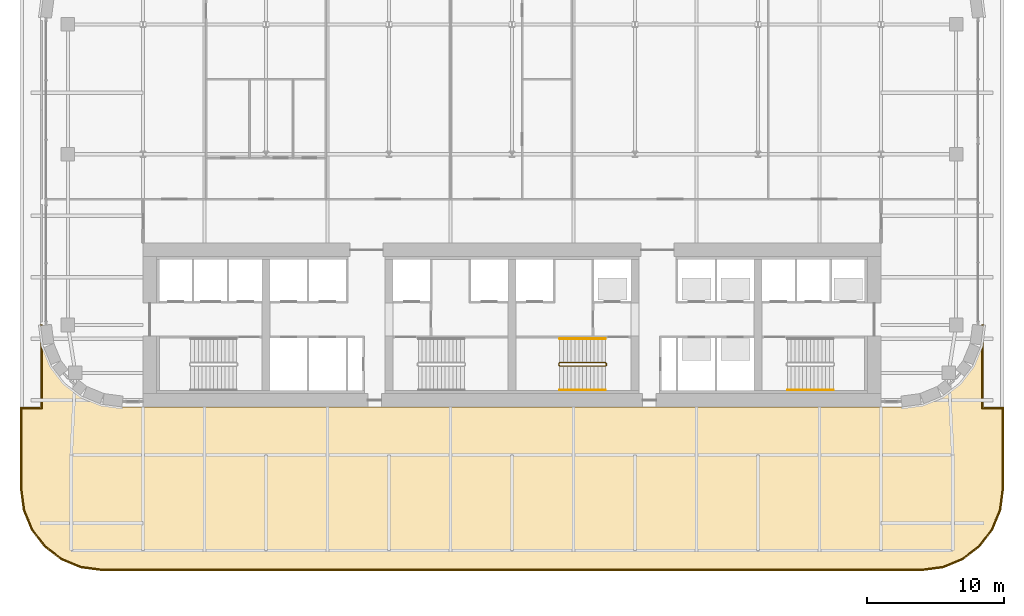
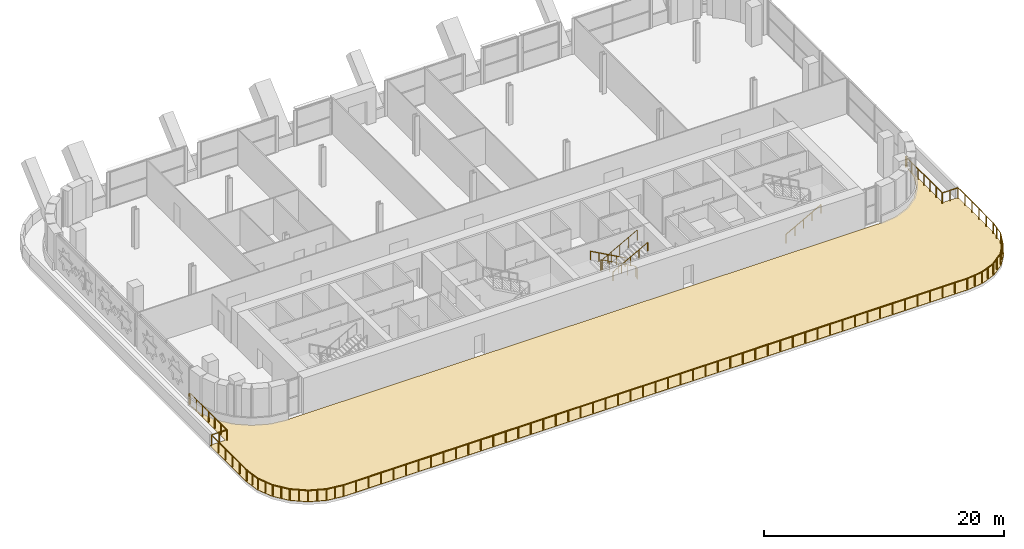
# One storey, part 20 of 26: 5 railings, 1 covering.
"""IFC4 building model written with IfcOpenShell, lengths in metres."""

from ifc_helpers import new_model, si_unit, direction, frame, origin, origin_2d, place, context, subcontext, project, spatial, polyline, circle, outline, extrude, material, layer, layer_set, type_object, element, save


model = new_model("IFC4")

# Units and contexts
model_context = context("Model", 3, precision=1e-05, world=origin(), true_north=direction((0.0, 1.0)))
body_context = subcontext(model_context, "Body", "Model", "MODEL_VIEW")
ifc_project = project(units=[si_unit("LENGTHUNIT", "METRE"), si_unit("AREAUNIT", "SQUARE_METRE"), si_unit("VOLUMEUNIT", "CUBIC_METRE"), si_unit("PLANEANGLEUNIT", "RADIAN"), si_unit("MASSUNIT", "GRAM", prefix="KILO")], contexts=[model_context])

# Site, building, storey
site_placement = place(None, origin())
site = spatial("IfcSite", under=ifc_project, at=site_placement, CompositionType="ELEMENT")
building_placement = place(site_placement, origin())
building = spatial("IfcBuilding", under=site, at=building_placement, Name="Zellij Exchange Tower", CompositionType="ELEMENT")
storey_placement = place(building_placement, frame((0.0, 0.0, 156.5)))
storey = spatial("IfcBuildingStorey", under=building, at=storey_placement, Name="L35", CompositionType="ELEMENT", Elevation=156.5)

# Railings
ifc_material_1 = material(Name="Stainless steel", Category="steel")
railing_type_1 = type_object("IfcRailingType", Name="CORE-RG stair guard", PredefinedType="GUARDRAIL", material=ifc_material_1)
railing_1_placement = place(storey_placement, frame((6.89990234375, -10.800048828125, 0.0)))
element("IfcRailing", 1, at=railing_1_placement, inside=storey, type_object=railing_type_1, Name="ST3 stair guard L35", PredefinedType="GUARDRAIL", context=body_context, shape_type="SweptSolid", body=[
    extrude(circle(Radius=0.02392578125, at=origin_2d()), frame((0.0, 0.0, 1.076171875), z_axis=(0.0, -1.0, 0.0), x_axis=(1.0, 0.0, 0.0)), (0.0, 0.0, 1.0), 0.14990234375),
    extrude(circle(Radius=0.02392578125, at=origin_2d()), frame((0.0, -0.14990234375, 1.076171875), z_axis=(-0.193691321961, 0.777613689637, 0.598164376644), x_axis=(-0.970351222016, -0.241699205484, 0.0)), (0.0, 0.0, 1.0), 0.257080078125),
    extrude(circle(Radius=0.02392578125, at=origin_2d()), frame((-0.0498046875, 0.050048828125, 1.22998046875), z_axis=(-0.876421534553, 0.0, 0.481544695509), x_axis=(0.0, -1.0, 0.0)), (0.0, 0.0, 1.0), 3.833984375),
    extrude(circle(Radius=0.02392578125, at=origin_2d()), frame((-3.409912109375, 0.050048828125, 3.076171875), z_axis=(-0.707106781187, -0.707106781187, 0.0), x_axis=(0.707106781187, -0.707106781187, 0.0)), (0.0, 0.0, 1.0), 0.07080078125),
    extrude(circle(Radius=0.02392578125, at=origin_2d()), frame((-3.4599609375, 0.0, 3.076171875), z_axis=(0.0, -1.0, 0.0), x_axis=(1.0, 0.0, 0.0)), (0.0, 0.0, 1.0), 0.14990234375),
    extrude(circle(Radius=0.02392578125, at=origin_2d()), frame((-3.4599609375, -0.14990234375, 3.076171875), z_axis=(0.295599637079, -0.295599637079, 0.908428152975), x_axis=(0.707106781187, 0.707106781187, 0.0)), (0.0, 0.0, 1.0), 0.16943359375),
    extrude(circle(Radius=0.02392578125, at=origin_2d()), frame((-3.409912109375, -0.199951171875, 3.22998046875), z_axis=(0.876421534553, 0.0, 0.481544695509), x_axis=(0.0, 1.0, 0.0)), (0.0, 0.0, 1.0), 3.833984375),
    extrude(circle(Radius=0.02099609375, at=origin_2d()), origin(), (0.0, 0.0, 1.0), 1.052001953125),
    extrude(circle(Radius=0.02099609375, at=origin_2d()), frame((0.0, -0.14990234375, 0.0)), (0.0, 0.0, 1.0), 1.052001953125),
    extrude(circle(Radius=0.02099609375, at=origin_2d()), frame((-0.0498046875, 0.050048828125, 0.15380859375)), (0.0, 0.0, 1.0), 1.052001953125),
    extrude(circle(Radius=0.02099609375, at=origin_2d()), frame((-0.889892578125, 0.050048828125, 0.615234375)), (0.0, 0.0, 1.0), 1.052001953125),
    extrude(circle(Radius=0.02099609375, at=origin_2d()), frame((-1.72998046875, 0.050048828125, 1.076904296875)), (0.0, 0.0, 1.0), 1.052001953125),
    extrude(circle(Radius=0.02099609375, at=origin_2d()), frame((-2.56982421875, 0.050048828125, 1.53857421875)), (0.0, 0.0, 1.0), 1.052001953125),
    extrude(circle(Radius=0.02099609375, at=origin_2d()), frame((-3.409912109375, 0.050048828125, 2.0)), (0.0, 0.0, 1.0), 1.052001953125),
    extrude(circle(Radius=0.02099609375, at=origin_2d()), frame((-3.4599609375, 0.0, 2.0)), (0.0, 0.0, 1.0), 1.052001953125),
    extrude(circle(Radius=0.02099609375, at=origin_2d()), frame((-3.4599609375, -0.14990234375, 2.0)), (0.0, 0.0, 1.0), 1.052001953125),
    extrude(circle(Radius=0.02099609375, at=origin_2d()), frame((-3.409912109375, -0.199951171875, 2.15380859375)), (0.0, 0.0, 1.0), 1.052001953125),
    extrude(circle(Radius=0.02099609375, at=origin_2d()), frame((-2.56982421875, -0.199951171875, 2.615234375)), (0.0, 0.0, 1.0), 1.052001953125),
    extrude(circle(Radius=0.02099609375, at=origin_2d()), frame((-1.72998046875, -0.199951171875, 3.076904296875)), (0.0, 0.0, 1.0), 1.052001953125),
    extrude(circle(Radius=0.02099609375, at=origin_2d()), frame((-0.889892578125, -0.199951171875, 3.53857421875)), (0.0, 0.0, 1.0), 1.052001953125),
    extrude(circle(Radius=0.02099609375, at=origin_2d()), frame((-0.0498046875, -0.199951171875, 4.0)), (0.0, 0.0, 1.0), 1.052001953125),
])
railing_type_2 = type_object("IfcRailingType", Name="CORE-RH stair handrail", PredefinedType="HANDRAIL", material=ifc_material_1)
railing_2_placement = place(storey_placement, frame((6.85009765625, -9.0, 0.15380859375)))
element("IfcRailing", 2, at=railing_2_placement, inside=storey, type_object=railing_type_2, Name="ST3 stair handrail L35", PredefinedType="HANDRAIL", context=body_context, shape_type="SweptSolid", body=[
    extrude(circle(Radius=0.02392578125, at=origin_2d()), frame((0.0, 0.0, 0.8759765625), z_axis=(-0.876421534553, 0.0, 0.481544695509), x_axis=(0.0, -1.0, 0.0)), (0.0, 0.0, 1.0), 3.833984375),
    extrude(circle(Radius=0.02099609375, at=origin_2d()), origin(), (0.0, 0.0, 1.0), 0.851806640625),
    extrude(circle(Radius=0.02099609375, at=origin_2d()), frame((-0.840087890625, 0.0, 0.46142578125)), (0.0, 0.0, 1.0), 0.851806640625),
    extrude(circle(Radius=0.02099609375, at=origin_2d()), frame((-1.68017578125, 0.0, 0.923095703125)), (0.0, 0.0, 1.0), 0.851806640625),
    extrude(circle(Radius=0.02099609375, at=origin_2d()), frame((-2.52001953125, 0.0, 1.384765625)), (0.0, 0.0, 1.0), 0.851806640625),
    extrude(circle(Radius=0.02099609375, at=origin_2d()), frame((-3.360107421875, 0.0, 1.84619140625)), (0.0, 0.0, 1.0), 0.851806640625),
])
for number, where, name in (
    (3, (3.489990234375, -12.75, 2.15380859375), "ST3 stair handrail L35"),
    (4, (20.14990234375, -12.75, 0.15380859375), "ST4 stair handrail L35"),
):
    element("IfcRailing", number, at=place(storey_placement, frame(where)), inside=storey, type_object=railing_type_2, Name=name, PredefinedType="HANDRAIL", context=body_context, shape_type="SweptSolid", body=[
        extrude(circle(Radius=0.02392578125, at=origin_2d()), frame((0.0, 0.0, 0.8759765625), z_axis=(0.876421534553, 0.0, 0.481544695509), x_axis=(0.0, 1.0, 0.0)), (0.0, 0.0, 1.0), 3.833984375),
        extrude(circle(Radius=0.02099609375, at=origin_2d()), origin(), (0.0, 0.0, 1.0), 0.851806640625),
        extrude(circle(Radius=0.02099609375, at=origin_2d()), frame((0.840087890625, 0.0, 0.46142578125)), (0.0, 0.0, 1.0), 0.851806640625),
        extrude(circle(Radius=0.02099609375, at=origin_2d()), frame((1.68017578125, 0.0, 0.923095703125)), (0.0, 0.0, 1.0), 0.851806640625),
        extrude(circle(Radius=0.02099609375, at=origin_2d()), frame((2.52001953125, 0.0, 1.384765625)), (0.0, 0.0, 1.0), 0.851806640625),
        extrude(circle(Radius=0.02099609375, at=origin_2d()), frame((3.360107421875, 0.0, 1.84619140625)), (0.0, 0.0, 1.0), 0.851806640625),
    ])
ifc_material_2 = material(Name="Bronze-finished aluminium", Category="aluminium")
railing_type_3 = type_object("IfcRailingType", Name="ENV-GR1 Terrace guard", PredefinedType="GUARDRAIL", material=ifc_material_2)
railing_3_placement = place(storey_placement, frame((-34.5, -8.000732421875, 0.0)))
element("IfcRailing", 5, at=railing_3_placement, inside=storey, type_object=railing_type_3, Name="Terrace guard", PredefinedType="GUARDRAIL", context=body_context, shape_type="SweptSolid", body=[
    extrude(circle(Radius=0.02490234375, at=origin_2d()), frame((0.0, 0.0, 1.0751953125), z_axis=(1.0, 0.0, 0.0), x_axis=(0.0, 1.0, 0.0)), (0.0, 0.0, 1.0), 0.10009765625),
    extrude(circle(Radius=0.02490234375, at=origin_2d()), frame((0.10009765625, 0.0, 1.0751953125), z_axis=(0.0, -1.0, 0.0), x_axis=(1.0, 0.0, 0.0)), (0.0, 0.0, 1.0), 6.099365234375),
    extrude(circle(Radius=0.02490234375, at=origin_2d()), frame((0.10009765625, -6.099365234375, 1.0751953125), z_axis=(-1.0, 0.0, 0.0), x_axis=(0.0, -1.0, 0.0)), (0.0, 0.0, 1.0), 1.5),
    extrude(circle(Radius=0.02490234375, at=origin_2d()), frame((-1.39990234375, -6.099365234375, 1.0751953125), z_axis=(0.0, -1.0, 0.0), x_axis=(1.0, 0.0, 0.0)), (0.0, 0.0, 1.0), 5.893310546875),
    extrude(circle(Radius=0.02490234375, at=origin_2d()), frame((-1.39990234375, -11.99267578125, 1.0751953125), z_axis=(0.130385096405, -0.991463426777, 0.0), x_axis=(0.991463426777, 0.130385096405, 0.0)), (0.0, 0.0, 1.0), 1.546630859375),
    extrude(circle(Radius=0.02490234375, at=origin_2d()), frame((-1.1982421875, -13.526123046875, 1.0751953125), z_axis=(0.382678474425, -0.923881586142, 0.0), x_axis=(0.923881586142, 0.382678474425, 0.0)), (0.0, 0.0, 1.0), 1.5400390625),
    extrude(circle(Radius=0.02490234375, at=origin_2d()), frame((-0.60888671875, -14.948974609375, 1.0751953125), z_axis=(0.608790940556, -0.793330694412, 0.0), x_axis=(0.793330694412, 0.608790940556, 0.0)), (0.0, 0.0, 1.0), 1.5400390625),
    extrude(circle(Radius=0.02490234375, at=origin_2d()), frame((0.32861328125, -16.170654296875, 1.0751953125), z_axis=(0.793330694412, -0.608790940556, 0.0), x_axis=(0.608790940556, 0.793330694412, 0.0)), (0.0, 0.0, 1.0), 1.5400390625),
    extrude(circle(Radius=0.02490234375, at=origin_2d()), frame((1.55029296875, -17.108154296875, 1.0751953125), z_axis=(0.923881586142, -0.382678474425, 0.0), x_axis=(0.382678474425, 0.923881586142, 0.0)), (0.0, 0.0, 1.0), 1.5400390625),
    extrude(circle(Radius=0.02490234375, at=origin_2d()), frame((2.97314453125, -17.697509765625, 1.0751953125), z_axis=(0.991463426777, -0.130385096405, 0.0), x_axis=(0.130385096405, 0.991463426777, 0.0)), (0.0, 0.0, 1.0), 1.546630859375),
    extrude(circle(Radius=0.02490234375, at=origin_2d()), frame((4.506591796875, -17.899169921875, 1.0751953125), z_axis=(1.0, 0.0, 0.0), x_axis=(0.0, 1.0, 0.0)), (0.0, 0.0, 1.0), 59.98681640625),
    extrude(circle(Radius=0.02490234375, at=origin_2d()), frame((64.493408203125, -17.899169921875, 1.0751953125), z_axis=(0.991463426777, 0.130385096405, 0.0), x_axis=(-0.130385096405, 0.991463426777, 0.0)), (0.0, 0.0, 1.0), 1.546630859375),
    extrude(circle(Radius=0.02490234375, at=origin_2d()), frame((66.02685546875, -17.697509765625, 1.0751953125), z_axis=(0.923881586142, 0.382678474425, 0.0), x_axis=(-0.382678474425, 0.923881586142, 0.0)), (0.0, 0.0, 1.0), 1.5400390625),
    extrude(circle(Radius=0.02490234375, at=origin_2d()), frame((67.44970703125, -17.108154296875, 1.0751953125), z_axis=(0.793330694412, 0.608790940556, 0.0), x_axis=(-0.608790940556, 0.793330694412, 0.0)), (0.0, 0.0, 1.0), 1.5400390625),
    extrude(circle(Radius=0.02490234375, at=origin_2d()), frame((68.67138671875, -16.170654296875, 1.0751953125), z_axis=(0.608790940556, 0.793330694412, 0.0), x_axis=(-0.793330694412, 0.608790940556, 0.0)), (0.0, 0.0, 1.0), 1.5400390625),
    extrude(circle(Radius=0.02490234375, at=origin_2d()), frame((69.60888671875, -14.948974609375, 1.0751953125), z_axis=(0.382678474425, 0.923881586142, 0.0), x_axis=(-0.923881586142, 0.382678474425, 0.0)), (0.0, 0.0, 1.0), 1.5400390625),
    extrude(circle(Radius=0.02490234375, at=origin_2d()), frame((70.1982421875, -13.526123046875, 1.0751953125), z_axis=(0.130385096405, 0.991463426777, 0.0), x_axis=(-0.991463426777, 0.130385096405, 0.0)), (0.0, 0.0, 1.0), 1.546630859375),
    extrude(circle(Radius=0.02490234375, at=origin_2d()), frame((70.39990234375, -11.99267578125, 1.0751953125), z_axis=(0.0, 1.0, 0.0), x_axis=(-1.0, 0.0, 0.0)), (0.0, 0.0, 1.0), 5.893310546875),
    extrude(circle(Radius=0.02490234375, at=origin_2d()), frame((70.39990234375, -6.099365234375, 1.0751953125), z_axis=(-1.0, 0.0, 0.0), x_axis=(0.0, -1.0, 0.0)), (0.0, 0.0, 1.0), 1.5),
    extrude(circle(Radius=0.02490234375, at=origin_2d()), frame((68.89990234375, -6.099365234375, 1.0751953125), z_axis=(0.0, 1.0, 0.0), x_axis=(-1.0, 0.0, 0.0)), (0.0, 0.0, 1.0), 6.099365234375),
    extrude(circle(Radius=0.02490234375, at=origin_2d()), frame((68.89990234375, 0.0, 1.0751953125), z_axis=(1.0, 0.0, 0.0), x_axis=(0.0, 1.0, 0.0)), (0.0, 0.0, 1.0), 0.10009765625),
    extrude(circle(Radius=0.030029296875, at=origin_2d()), origin(), (0.0, 0.0, 1.0), 1.050048828125),
    extrude(circle(Radius=0.030029296875, at=origin_2d()), frame((0.10009765625, 0.0, 0.0)), (0.0, 0.0, 1.0), 1.050048828125),
    extrude(circle(Radius=0.030029296875, at=origin_2d()), frame((0.10009765625, -1.0166015625, 0.0)), (0.0, 0.0, 1.0), 1.050048828125),
    extrude(circle(Radius=0.030029296875, at=origin_2d()), frame((0.10009765625, -2.033203125, 0.0)), (0.0, 0.0, 1.0), 1.050048828125),
    extrude(circle(Radius=0.030029296875, at=origin_2d()), frame((0.10009765625, -3.0498046875, 0.0)), (0.0, 0.0, 1.0), 1.050048828125),
    extrude(circle(Radius=0.030029296875, at=origin_2d()), frame((0.10009765625, -4.066162109375, 0.0)), (0.0, 0.0, 1.0), 1.050048828125),
    extrude(circle(Radius=0.030029296875, at=origin_2d()), frame((0.10009765625, -5.082763671875, 0.0)), (0.0, 0.0, 1.0), 1.050048828125),
    extrude(circle(Radius=0.030029296875, at=origin_2d()), frame((0.10009765625, -6.099365234375, 0.0)), (0.0, 0.0, 1.0), 1.050048828125),
    extrude(circle(Radius=0.030029296875, at=origin_2d()), frame((-0.64990234375, -6.099365234375, 0.0)), (0.0, 0.0, 1.0), 1.050048828125),
    extrude(circle(Radius=0.030029296875, at=origin_2d()), frame((-1.39990234375, -6.099365234375, 0.0)), (0.0, 0.0, 1.0), 1.050048828125),
    extrude(circle(Radius=0.030029296875, at=origin_2d()), frame((-1.39990234375, -7.278076171875, 0.0)), (0.0, 0.0, 1.0), 1.050048828125),
    extrude(circle(Radius=0.030029296875, at=origin_2d()), frame((-1.39990234375, -8.456787109375, 0.0)), (0.0, 0.0, 1.0), 1.050048828125),
    extrude(circle(Radius=0.030029296875, at=origin_2d()), frame((-1.39990234375, -9.63525390625, 0.0)), (0.0, 0.0, 1.0), 1.050048828125),
    extrude(circle(Radius=0.030029296875, at=origin_2d()), frame((-1.39990234375, -10.81396484375, 0.0)), (0.0, 0.0, 1.0), 1.050048828125),
    extrude(circle(Radius=0.030029296875, at=origin_2d()), frame((-1.39990234375, -11.99267578125, 0.0)), (0.0, 0.0, 1.0), 1.050048828125),
    extrude(circle(Radius=0.030029296875, at=origin_2d()), frame((-1.299072265625, -12.75927734375, 0.0)), (0.0, 0.0, 1.0), 1.050048828125),
    extrude(circle(Radius=0.030029296875, at=origin_2d()), frame((-1.1982421875, -13.526123046875, 0.0)), (0.0, 0.0, 1.0), 1.050048828125),
    extrude(circle(Radius=0.030029296875, at=origin_2d()), frame((-0.903564453125, -14.237548828125, 0.0)), (0.0, 0.0, 1.0), 1.050048828125),
    extrude(circle(Radius=0.030029296875, at=origin_2d()), frame((-0.60888671875, -14.948974609375, 0.0)), (0.0, 0.0, 1.0), 1.050048828125),
    extrude(circle(Radius=0.030029296875, at=origin_2d()), frame((-0.14013671875, -15.559814453125, 0.0)), (0.0, 0.0, 1.0), 1.050048828125),
    extrude(circle(Radius=0.030029296875, at=origin_2d()), frame((0.32861328125, -16.170654296875, 0.0)), (0.0, 0.0, 1.0), 1.050048828125),
    extrude(circle(Radius=0.030029296875, at=origin_2d()), frame((0.939453125, -16.639404296875, 0.0)), (0.0, 0.0, 1.0), 1.050048828125),
    extrude(circle(Radius=0.030029296875, at=origin_2d()), frame((1.55029296875, -17.108154296875, 0.0)), (0.0, 0.0, 1.0), 1.050048828125),
    extrude(circle(Radius=0.030029296875, at=origin_2d()), frame((2.26171875, -17.40283203125, 0.0)), (0.0, 0.0, 1.0), 1.050048828125),
    extrude(circle(Radius=0.030029296875, at=origin_2d()), frame((2.97314453125, -17.697509765625, 0.0)), (0.0, 0.0, 1.0), 1.050048828125),
    extrude(circle(Radius=0.030029296875, at=origin_2d()), frame((3.73974609375, -17.79833984375, 0.0)), (0.0, 0.0, 1.0), 1.050048828125),
    extrude(circle(Radius=0.030029296875, at=origin_2d()), frame((4.506591796875, -17.899169921875, 0.0)), (0.0, 0.0, 1.0), 1.050048828125),
    extrude(circle(Radius=0.030029296875, at=origin_2d()), frame((5.706298828125, -17.899169921875, 0.0)), (0.0, 0.0, 1.0), 1.050048828125),
    extrude(circle(Radius=0.030029296875, at=origin_2d()), frame((6.906005859375, -17.899169921875, 0.0)), (0.0, 0.0, 1.0), 1.050048828125),
    extrude(circle(Radius=0.030029296875, at=origin_2d()), frame((8.105712890625, -17.899169921875, 0.0)), (0.0, 0.0, 1.0), 1.050048828125),
    extrude(circle(Radius=0.030029296875, at=origin_2d()), frame((9.305419921875, -17.899169921875, 0.0)), (0.0, 0.0, 1.0), 1.050048828125),
    extrude(circle(Radius=0.030029296875, at=origin_2d()), frame((10.50537109375, -17.899169921875, 0.0)), (0.0, 0.0, 1.0), 1.050048828125),
    extrude(circle(Radius=0.030029296875, at=origin_2d()), frame((11.705078125, -17.899169921875, 0.0)), (0.0, 0.0, 1.0), 1.050048828125),
    extrude(circle(Radius=0.030029296875, at=origin_2d()), frame((12.90478515625, -17.899169921875, 0.0)), (0.0, 0.0, 1.0), 1.050048828125),
    extrude(circle(Radius=0.030029296875, at=origin_2d()), frame((14.1044921875, -17.899169921875, 0.0)), (0.0, 0.0, 1.0), 1.050048828125),
    extrude(circle(Radius=0.030029296875, at=origin_2d()), frame((15.30419921875, -17.899169921875, 0.0)), (0.0, 0.0, 1.0), 1.050048828125),
    extrude(circle(Radius=0.030029296875, at=origin_2d()), frame((16.50390625, -17.899169921875, 0.0)), (0.0, 0.0, 1.0), 1.050048828125),
    extrude(circle(Radius=0.030029296875, at=origin_2d()), frame((17.70361328125, -17.899169921875, 0.0)), (0.0, 0.0, 1.0), 1.050048828125),
    extrude(circle(Radius=0.030029296875, at=origin_2d()), frame((18.9033203125, -17.899169921875, 0.0)), (0.0, 0.0, 1.0), 1.050048828125),
    extrude(circle(Radius=0.030029296875, at=origin_2d()), frame((20.103271484375, -17.899169921875, 0.0)), (0.0, 0.0, 1.0), 1.050048828125),
    extrude(circle(Radius=0.030029296875, at=origin_2d()), frame((21.302978515625, -17.899169921875, 0.0)), (0.0, 0.0, 1.0), 1.050048828125),
    extrude(circle(Radius=0.030029296875, at=origin_2d()), frame((22.502685546875, -17.899169921875, 0.0)), (0.0, 0.0, 1.0), 1.050048828125),
    extrude(circle(Radius=0.030029296875, at=origin_2d()), frame((23.702392578125, -17.899169921875, 0.0)), (0.0, 0.0, 1.0), 1.050048828125),
    extrude(circle(Radius=0.030029296875, at=origin_2d()), frame((24.902099609375, -17.899169921875, 0.0)), (0.0, 0.0, 1.0), 1.050048828125),
    extrude(circle(Radius=0.030029296875, at=origin_2d()), frame((26.101806640625, -17.899169921875, 0.0)), (0.0, 0.0, 1.0), 1.050048828125),
    extrude(circle(Radius=0.030029296875, at=origin_2d()), frame((27.301513671875, -17.899169921875, 0.0)), (0.0, 0.0, 1.0), 1.050048828125),
    extrude(circle(Radius=0.030029296875, at=origin_2d()), frame((28.501220703125, -17.899169921875, 0.0)), (0.0, 0.0, 1.0), 1.050048828125),
    extrude(circle(Radius=0.030029296875, at=origin_2d()), frame((29.701171875, -17.899169921875, 0.0)), (0.0, 0.0, 1.0), 1.050048828125),
    extrude(circle(Radius=0.030029296875, at=origin_2d()), frame((30.90087890625, -17.899169921875, 0.0)), (0.0, 0.0, 1.0), 1.050048828125),
    extrude(circle(Radius=0.030029296875, at=origin_2d()), frame((32.1005859375, -17.899169921875, 0.0)), (0.0, 0.0, 1.0), 1.050048828125),
    extrude(circle(Radius=0.030029296875, at=origin_2d()), frame((33.30029296875, -17.899169921875, 0.0)), (0.0, 0.0, 1.0), 1.050048828125),
    extrude(circle(Radius=0.030029296875, at=origin_2d()), frame((34.5, -17.899169921875, 0.0)), (0.0, 0.0, 1.0), 1.050048828125),
    extrude(circle(Radius=0.030029296875, at=origin_2d()), frame((35.69970703125, -17.899169921875, 0.0)), (0.0, 0.0, 1.0), 1.050048828125),
    extrude(circle(Radius=0.030029296875, at=origin_2d()), frame((36.8994140625, -17.899169921875, 0.0)), (0.0, 0.0, 1.0), 1.050048828125),
    extrude(circle(Radius=0.030029296875, at=origin_2d()), frame((38.09912109375, -17.899169921875, 0.0)), (0.0, 0.0, 1.0), 1.050048828125),
    extrude(circle(Radius=0.030029296875, at=origin_2d()), frame((39.298828125, -17.899169921875, 0.0)), (0.0, 0.0, 1.0), 1.050048828125),
    extrude(circle(Radius=0.030029296875, at=origin_2d()), frame((40.498779296875, -17.899169921875, 0.0)), (0.0, 0.0, 1.0), 1.050048828125),
    extrude(circle(Radius=0.030029296875, at=origin_2d()), frame((41.698486328125, -17.899169921875, 0.0)), (0.0, 0.0, 1.0), 1.050048828125),
    extrude(circle(Radius=0.030029296875, at=origin_2d()), frame((42.898193359375, -17.899169921875, 0.0)), (0.0, 0.0, 1.0), 1.050048828125),
    extrude(circle(Radius=0.030029296875, at=origin_2d()), frame((44.097900390625, -17.899169921875, 0.0)), (0.0, 0.0, 1.0), 1.050048828125),
    extrude(circle(Radius=0.030029296875, at=origin_2d()), frame((45.297607421875, -17.899169921875, 0.0)), (0.0, 0.0, 1.0), 1.050048828125),
    extrude(circle(Radius=0.030029296875, at=origin_2d()), frame((46.497314453125, -17.899169921875, 0.0)), (0.0, 0.0, 1.0), 1.050048828125),
    extrude(circle(Radius=0.030029296875, at=origin_2d()), frame((47.697021484375, -17.899169921875, 0.0)), (0.0, 0.0, 1.0), 1.050048828125),
    extrude(circle(Radius=0.030029296875, at=origin_2d()), frame((48.896728515625, -17.899169921875, 0.0)), (0.0, 0.0, 1.0), 1.050048828125),
    extrude(circle(Radius=0.030029296875, at=origin_2d()), frame((50.0966796875, -17.899169921875, 0.0)), (0.0, 0.0, 1.0), 1.050048828125),
    extrude(circle(Radius=0.030029296875, at=origin_2d()), frame((51.29638671875, -17.899169921875, 0.0)), (0.0, 0.0, 1.0), 1.050048828125),
    extrude(circle(Radius=0.030029296875, at=origin_2d()), frame((52.49609375, -17.899169921875, 0.0)), (0.0, 0.0, 1.0), 1.050048828125),
    extrude(circle(Radius=0.030029296875, at=origin_2d()), frame((53.69580078125, -17.899169921875, 0.0)), (0.0, 0.0, 1.0), 1.050048828125),
    extrude(circle(Radius=0.030029296875, at=origin_2d()), frame((54.8955078125, -17.899169921875, 0.0)), (0.0, 0.0, 1.0), 1.050048828125),
    extrude(circle(Radius=0.030029296875, at=origin_2d()), frame((56.09521484375, -17.899169921875, 0.0)), (0.0, 0.0, 1.0), 1.050048828125),
    extrude(circle(Radius=0.030029296875, at=origin_2d()), frame((57.294921875, -17.899169921875, 0.0)), (0.0, 0.0, 1.0), 1.050048828125),
    extrude(circle(Radius=0.030029296875, at=origin_2d()), frame((58.49462890625, -17.899169921875, 0.0)), (0.0, 0.0, 1.0), 1.050048828125),
    extrude(circle(Radius=0.030029296875, at=origin_2d()), frame((59.694580078125, -17.899169921875, 0.0)), (0.0, 0.0, 1.0), 1.050048828125),
    extrude(circle(Radius=0.030029296875, at=origin_2d()), frame((60.894287109375, -17.899169921875, 0.0)), (0.0, 0.0, 1.0), 1.050048828125),
    extrude(circle(Radius=0.030029296875, at=origin_2d()), frame((62.093994140625, -17.899169921875, 0.0)), (0.0, 0.0, 1.0), 1.050048828125),
    extrude(circle(Radius=0.030029296875, at=origin_2d()), frame((63.293701171875, -17.899169921875, 0.0)), (0.0, 0.0, 1.0), 1.050048828125),
    extrude(circle(Radius=0.030029296875, at=origin_2d()), frame((64.493408203125, -17.899169921875, 0.0)), (0.0, 0.0, 1.0), 1.050048828125),
    extrude(circle(Radius=0.030029296875, at=origin_2d()), frame((65.26025390625, -17.79833984375, 0.0)), (0.0, 0.0, 1.0), 1.050048828125),
    extrude(circle(Radius=0.030029296875, at=origin_2d()), frame((66.02685546875, -17.697509765625, 0.0)), (0.0, 0.0, 1.0), 1.050048828125),
    extrude(circle(Radius=0.030029296875, at=origin_2d()), frame((66.73828125, -17.40283203125, 0.0)), (0.0, 0.0, 1.0), 1.050048828125),
    extrude(circle(Radius=0.030029296875, at=origin_2d()), frame((67.44970703125, -17.108154296875, 0.0)), (0.0, 0.0, 1.0), 1.050048828125),
    extrude(circle(Radius=0.030029296875, at=origin_2d()), frame((68.060546875, -16.639404296875, 0.0)), (0.0, 0.0, 1.0), 1.050048828125),
    extrude(circle(Radius=0.030029296875, at=origin_2d()), frame((68.67138671875, -16.170654296875, 0.0)), (0.0, 0.0, 1.0), 1.050048828125),
    extrude(circle(Radius=0.030029296875, at=origin_2d()), frame((69.14013671875, -15.559814453125, 0.0)), (0.0, 0.0, 1.0), 1.050048828125),
    extrude(circle(Radius=0.030029296875, at=origin_2d()), frame((69.60888671875, -14.948974609375, 0.0)), (0.0, 0.0, 1.0), 1.050048828125),
    extrude(circle(Radius=0.030029296875, at=origin_2d()), frame((69.903564453125, -14.237548828125, 0.0)), (0.0, 0.0, 1.0), 1.050048828125),
    extrude(circle(Radius=0.030029296875, at=origin_2d()), frame((70.1982421875, -13.526123046875, 0.0)), (0.0, 0.0, 1.0), 1.050048828125),
    extrude(circle(Radius=0.030029296875, at=origin_2d()), frame((70.299072265625, -12.75927734375, 0.0)), (0.0, 0.0, 1.0), 1.050048828125),
    extrude(circle(Radius=0.030029296875, at=origin_2d()), frame((70.39990234375, -11.99267578125, 0.0)), (0.0, 0.0, 1.0), 1.050048828125),
    extrude(circle(Radius=0.030029296875, at=origin_2d()), frame((70.39990234375, -10.81396484375, 0.0)), (0.0, 0.0, 1.0), 1.050048828125),
    extrude(circle(Radius=0.030029296875, at=origin_2d()), frame((70.39990234375, -9.63525390625, 0.0)), (0.0, 0.0, 1.0), 1.050048828125),
    extrude(circle(Radius=0.030029296875, at=origin_2d()), frame((70.39990234375, -8.456787109375, 0.0)), (0.0, 0.0, 1.0), 1.050048828125),
    extrude(circle(Radius=0.030029296875, at=origin_2d()), frame((70.39990234375, -7.278076171875, 0.0)), (0.0, 0.0, 1.0), 1.050048828125),
    extrude(circle(Radius=0.030029296875, at=origin_2d()), frame((70.39990234375, -6.099365234375, 0.0)), (0.0, 0.0, 1.0), 1.050048828125),
    extrude(circle(Radius=0.030029296875, at=origin_2d()), frame((69.64990234375, -6.099365234375, 0.0)), (0.0, 0.0, 1.0), 1.050048828125),
    extrude(circle(Radius=0.030029296875, at=origin_2d()), frame((68.89990234375, -6.099365234375, 0.0)), (0.0, 0.0, 1.0), 1.050048828125),
    extrude(circle(Radius=0.030029296875, at=origin_2d()), frame((68.89990234375, -5.082763671875, 0.0)), (0.0, 0.0, 1.0), 1.050048828125),
    extrude(circle(Radius=0.030029296875, at=origin_2d()), frame((68.89990234375, -4.066162109375, 0.0)), (0.0, 0.0, 1.0), 1.050048828125),
    extrude(circle(Radius=0.030029296875, at=origin_2d()), frame((68.89990234375, -3.0498046875, 0.0)), (0.0, 0.0, 1.0), 1.050048828125),
    extrude(circle(Radius=0.030029296875, at=origin_2d()), frame((68.89990234375, -2.033203125, 0.0)), (0.0, 0.0, 1.0), 1.050048828125),
    extrude(circle(Radius=0.030029296875, at=origin_2d()), frame((68.89990234375, -1.0166015625, 0.0)), (0.0, 0.0, 1.0), 1.050048828125),
    extrude(circle(Radius=0.030029296875, at=origin_2d()), frame((68.89990234375, 0.0, 0.0)), (0.0, 0.0, 1.0), 1.050048828125),
    extrude(circle(Radius=0.030029296875, at=origin_2d()), frame((69.0, 0.0, 0.0)), (0.0, 0.0, 1.0), 1.050048828125),
])

# Covering
ifc_material_3 = material(Name="Limestone paving", Category="masonry")
ifc_layer = layer(ifc_material_3, 0.0400390625)
ifc_layer_set = layer_set([ifc_layer], Name="Limestone paving")
covering_type = type_object("IfcCoveringType", Name="ENV-PV2 Terrace paving 40", PredefinedType="FLOORING", material=ifc_layer_set)
covering_placement = place(storey_placement, frame((0.0, 0.0, -0.0400390625)))
element("IfcCovering", 6, at=covering_placement, inside=storey, type_object=covering_type, Name="Terrace paving", PredefinedType="FLOORING", context=body_context, shape_type="SweptSolid", body=[
    extrude(outline(polyline([(-34.24267578125, -24.24267578125), (-33.0, -25.1962890625), (-31.552978515625, -25.795654296875), (-30.0, -26.0), (30.0, -26.0), (31.552978515625, -25.795654296875), (33.0, -25.1962890625), (34.24267578125, -24.24267578125), (35.1962890625, -23.0), (35.795654296875, -21.552978515625), (36.0, -20.0), (36.0, -14.0), (34.5, -14.0), (34.5, -8.0), (34.295654296875, -9.552978515625), (33.6962890625, -11.0), (32.74267578125, -12.24267578125), (31.5, -13.1962890625), (30.052978515625, -13.795654296875), (28.5, -14.0), (-28.5, -14.0), (-30.052978515625, -13.795654296875), (-31.5, -13.1962890625), (-32.74267578125, -12.24267578125), (-33.6962890625, -11.0), (-34.295654296875, -9.552978515625), (-34.5, -8.0), (-34.5, -14.0), (-36.0, -14.0), (-36.0, -20.0), (-35.795654296875, -21.552978515625), (-35.1962890625, -23.0), (-34.24267578125, -24.24267578125)])), origin(), (0.0, 0.0, 1.0), 0.0400390625),
])

save(model, "model.ifc")
